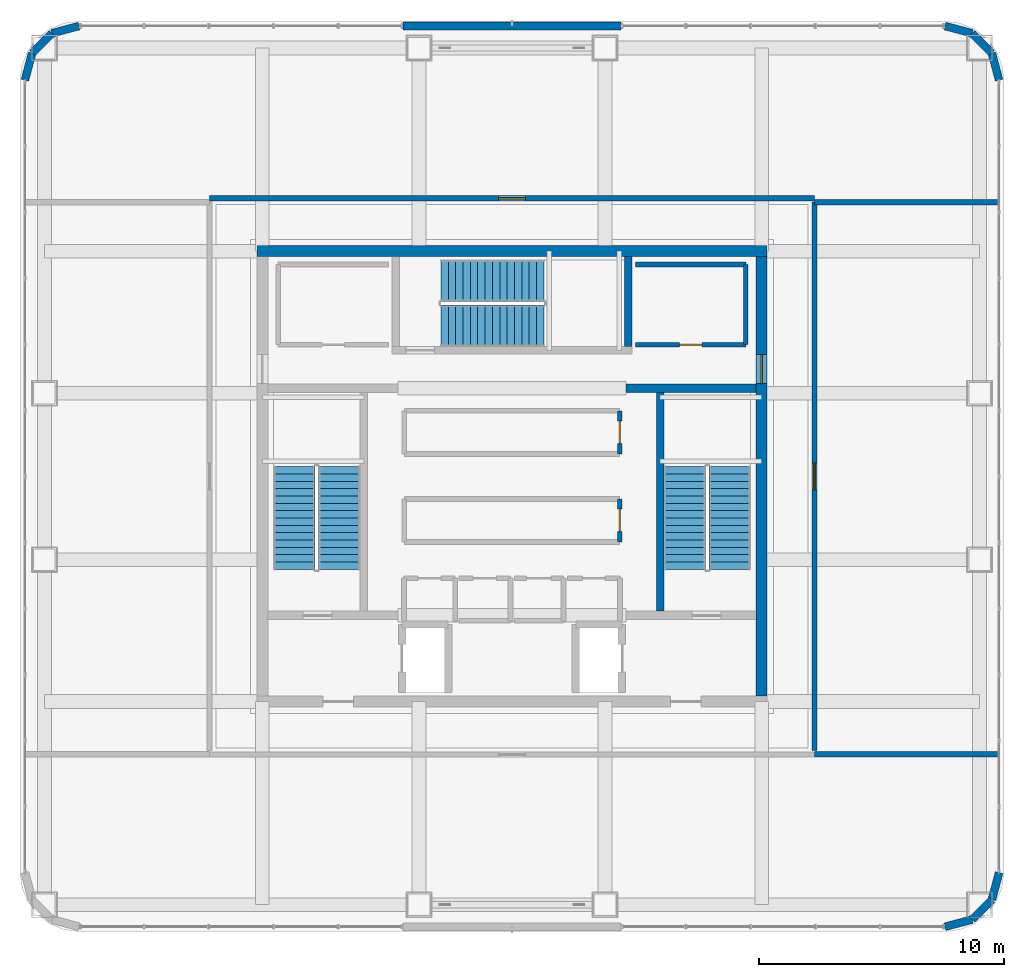
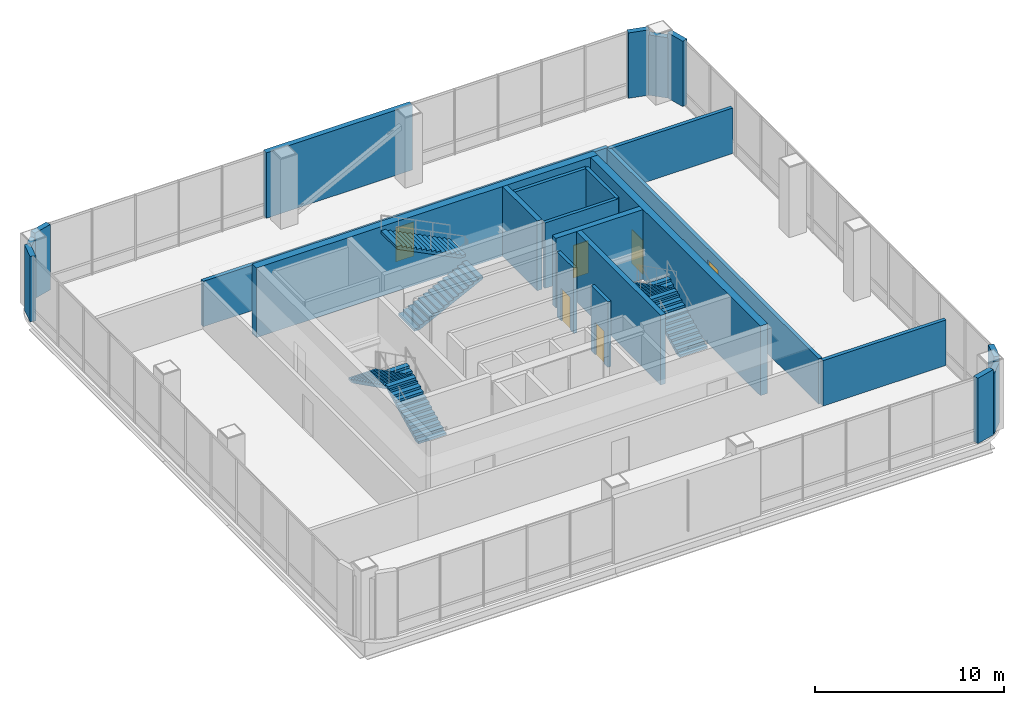
# One storey, part 29 of 33: 24 walls, 6 doors, 6 stair flights, 6 openings, 3 elements without a shape of their own.
"""IFC4 building model written with IfcOpenShell, lengths in metres."""

from ifc_helpers import new_model, si_unit, direction, frame, frame_2d, origin, place, context, subcontext, project, spatial, polyline, rectangle, outline, extrude, material, layer, layer_set, type_object, element, fill, aggregate, save


model = new_model("IFC4")

# Units and contexts
model_context = context("Model", 3, precision=1e-05, world=origin(), true_north=direction((0.0, 1.0)))
body_context = subcontext(model_context, "Body", "Model", "MODEL_VIEW")
ifc_project = project(units=[si_unit("LENGTHUNIT", "METRE"), si_unit("AREAUNIT", "SQUARE_METRE"), si_unit("VOLUMEUNIT", "CUBIC_METRE"), si_unit("PLANEANGLEUNIT", "RADIAN"), si_unit("MASSUNIT", "GRAM", prefix="KILO")], contexts=[model_context])

# Site, building, storey
site_placement = place(None, origin())
site = spatial("IfcSite", under=ifc_project, at=site_placement, CompositionType="ELEMENT")
building_placement = place(site_placement, origin())
building = spatial("IfcBuilding", under=site, at=building_placement, Name="Punatoya Terracotta Tower", CompositionType="ELEMENT")
storey_placement = place(building_placement, frame((0.0, 0.0, 348.300048828125)))
storey = spatial("IfcBuildingStorey", under=building, at=storey_placement, Name="L82", CompositionType="ELEMENT", Elevation=348.300048828125)

# Wall
ifc_material_1 = material(Name="Concrete C50/60", Category="concrete")
ifc_layer_1 = layer(ifc_material_1, 0.449951171875)
ifc_layer_set_1 = layer_set([ifc_layer_1], Name="Concrete C50/60")
wall_type_1 = type_object("IfcWallType", Name="WL-COR-450", PredefinedType="SHEAR", material=ifc_layer_set_1)
wall_1_placement = place(storey_placement, frame((-10.425048828125, 9.199951171875, 0.0), z_axis=(0.0, 0.0, 1.0), x_axis=(1.0, 0.0, 0.0)))
element("IfcWall", 1, at=wall_1_placement, inside=storey, type_object=wall_type_1, Name="L82 Core Shear Wall N", PredefinedType="SHEAR", context=body_context, shape_type="SweptSolid", body=[
    extrude(rectangle(XDim=20.85009765625, YDim=0.449951171875, at=frame_2d((10.425048828125, 0.0))), origin(), (0.0, 0.0, 1.0), 4.5),
])

# Wall, opening, door
wall_2_placement = place(storey_placement, frame((10.199951171875, 8.97509765625, 0.0), z_axis=(0.0, 0.0, 1.0), x_axis=(0.0, -1.0, 0.0)))
wall_2 = element("IfcWall", 2, at=wall_2_placement, inside=storey, type_object=wall_type_1, Name="L82 Core Shear Wall E", PredefinedType="SHEAR", context=body_context, shape_type="SweptSolid", body=[
    extrude(rectangle(XDim=17.9501953125, YDim=0.449951171875, at=frame_2d((8.97509765625, 0.0))), origin(), (0.0, 0.0, 1.0), 4.5),
])
opening_1_placement = place(wall_2_placement, frame((4.0048828125, 0.0, 0.0)))
opening_1 = element("IfcOpeningElement", 3, at=opening_1_placement, cuts=wall_2, Name="Opening SD-01", PredefinedType="OPENING", context=body_context, shape_type="SweptSolid", body=[
    extrude(rectangle(XDim=1.179931640625, YDim=2.199951171875, at=frame_2d((0.58984375, 1.10009765625))), frame((0.0, 0.23486328125, 0.0), z_axis=(0.0, -1.0, 0.0), x_axis=(1.0, 0.0, 0.0)), (0.0, 0.0, 1.0), 0.469970703125),
])
ifc_material_2 = material(Name="Galvanised Steel Pressurized Stair Fire Door", Category="steel")
door_type_1 = type_object("IfcDoorType", Name="DR-STR-1180", OperationType="NOTDEFINED", PredefinedType="DOOR", material=ifc_material_2)
door_1_placement = place(opening_1_placement, origin())
door_1 = element("IfcDoor", 4, at=door_1_placement, inside=storey, type_object=door_type_1, Name="L82 Central Lift Lobby East Fire Door", OperationType="SINGLE_SWING_RIGHT", OverallHeight=2.199951171875, OverallWidth=1.179931640625, PredefinedType="DOOR", context=body_context, shape_type="SweptSolid", body=[
    extrude(rectangle(XDim=1.179931640625, YDim=2.199951171875, at=frame_2d((0.58984375, 1.10009765625))), frame((0.0, 0.02490234375, 0.0), z_axis=(0.0, -1.0, 0.0), x_axis=(1.0, 0.0, 0.0)), (0.0, 0.0, 1.0), 0.050048828125),
])
fill(opening_1, door_1)

# Walls
ifc_material_3 = material(Name="Precast concrete C40/50", Category="concrete")
ifc_layer_2 = layer(ifc_material_3, 0.320068359375)
ifc_layer_set_2 = layer_set([ifc_layer_2], Name="Precast concrete C40/50")
wall_type_2 = type_object("IfcWallType", Name="WL-EXT-320", PredefinedType="SOLIDWALL", material=ifc_layer_set_2)
wall_3_placement = place(storey_placement, frame((17.68701171875, -18.39990234375, 0.0), z_axis=(0.0, 0.0, 1.0), x_axis=(0.966322910406, 0.257332533551, 0.0)))
element("IfcWall", 5, at=wall_3_placement, inside=storey, type_object=wall_type_2, Name="L82 Rounded Terracotta Corner Pier 02", PredefinedType="SOLIDWALL", context=body_context, shape_type="SweptSolid", body=[
    extrude(rectangle(XDim=1.15087890625, YDim=0.320068359375, at=frame_2d((0.575439453125, 0.0))), origin(), (0.0, 0.0, 1.0), 4.219970703125),
])
wall_4_placement = place(storey_placement, frame((18.799072265625, -18.103759765625, 0.0), z_axis=(0.0, 0.0, 1.0), x_axis=(0.707106781187, 0.707106781187, 0.0)))
element("IfcWall", 6, at=wall_4_placement, inside=storey, type_object=wall_type_2, Name="L82 Rounded Terracotta Corner Pier 03", PredefinedType="SOLIDWALL", context=body_context, shape_type="SweptSolid", body=[
    extrude(rectangle(XDim=1.137939453125, YDim=0.320068359375, at=frame_2d((0.56884765625, 0.0))), origin(), (0.0, 0.0, 1.0), 3.89404296875),
])
for number, where, z_axis, x_axis, name in (
    (7, (19.603759765625, -17.299072265625, 0.0), (0.0, 0.0, 1.0), (0.257332533551, 0.966322910406, 0.0), "L82 Rounded Terracotta Corner Pier 04"),
    (8, (19.89990234375, 16.18701171875, 0.0), (0.0, 0.0, 1.0), (-0.257332533551, 0.966322910406, 0.0), "L82 Rounded Terracotta Corner Pier 06"),
):
    element("IfcWall", number, at=place(storey_placement, frame(where, z_axis=z_axis, x_axis=x_axis)), inside=storey, type_object=wall_type_2, Name=name, PredefinedType="SOLIDWALL", context=body_context, shape_type="SweptSolid", body=[
        extrude(rectangle(XDim=1.15087890625, YDim=0.320068359375, at=frame_2d((0.575439453125, 0.0))), origin(), (0.0, 0.0, 1.0), 4.219970703125),
    ])
wall_5_placement = place(storey_placement, frame((19.603759765625, 17.299072265625, 0.0), z_axis=(0.0, 0.0, 1.0), x_axis=(-0.707106781187, 0.707106781187, 0.0)))
element("IfcWall", 9, at=wall_5_placement, inside=storey, type_object=wall_type_2, Name="L82 Rounded Terracotta Corner Pier 07", PredefinedType="SOLIDWALL", context=body_context, shape_type="SweptSolid", body=[
    extrude(rectangle(XDim=1.137939453125, YDim=0.320068359375, at=frame_2d((0.56884765625, 0.0))), origin(), (0.0, 0.0, 1.0), 3.89404296875),
])
wall_6_placement = place(storey_placement, frame((18.799072265625, 18.103759765625, 0.0), z_axis=(0.0, 0.0, 1.0), x_axis=(-0.966322910406, 0.257332533551, 0.0)))
element("IfcWall", 10, at=wall_6_placement, inside=storey, type_object=wall_type_2, Name="L82 Rounded Terracotta Corner Pier 08", PredefinedType="SOLIDWALL", context=body_context, shape_type="SweptSolid", body=[
    extrude(rectangle(XDim=1.15087890625, YDim=0.320068359375, at=frame_2d((0.575439453125, 0.0))), origin(), (0.0, 0.0, 1.0), 4.219970703125),
])
wall_7_placement = place(storey_placement, frame((4.449951171875, 18.39990234375, 0.0), z_axis=(0.0, 0.0, 1.0), x_axis=(-1.0, 0.0, 0.0)))
element("IfcWall", 11, at=wall_7_placement, inside=storey, type_object=wall_type_2, Name="L82 Terracotta Braced Facade Wall N1", PredefinedType="SOLIDWALL", context=body_context, shape_type="SweptSolid", body=[
    extrude(rectangle(XDim=8.89990234375, YDim=0.320068359375, at=frame_2d((4.449951171875, 0.0))), origin(), (0.0, 0.0, 1.0), 4.219970703125),
])
wall_8_placement = place(storey_placement, frame((-17.68701171875, 18.39990234375, 0.0), z_axis=(0.0, 0.0, 1.0), x_axis=(-0.966322910406, -0.257332533551, 0.0)))
element("IfcWall", 12, at=wall_8_placement, inside=storey, type_object=wall_type_2, Name="L82 Rounded Terracotta Corner Pier 10", PredefinedType="SOLIDWALL", context=body_context, shape_type="SweptSolid", body=[
    extrude(rectangle(XDim=1.15087890625, YDim=0.320068359375, at=frame_2d((0.575439453125, 0.0))), origin(), (0.0, 0.0, 1.0), 4.219970703125),
])
wall_9_placement = place(storey_placement, frame((-18.799072265625, 18.103759765625, 0.0), z_axis=(0.0, 0.0, 1.0), x_axis=(-0.707106781187, -0.707106781187, 0.0)))
element("IfcWall", 13, at=wall_9_placement, inside=storey, type_object=wall_type_2, Name="L82 Rounded Terracotta Corner Pier 11", PredefinedType="SOLIDWALL", context=body_context, shape_type="SweptSolid", body=[
    extrude(rectangle(XDim=1.137939453125, YDim=0.320068359375, at=frame_2d((0.56884765625, 0.0))), origin(), (0.0, 0.0, 1.0), 3.89404296875),
])
wall_10_placement = place(storey_placement, frame((-19.603759765625, 17.299072265625, 0.0), z_axis=(0.0, 0.0, 1.0), x_axis=(-0.257332533551, -0.966322910406, 0.0)))
element("IfcWall", 14, at=wall_10_placement, inside=storey, type_object=wall_type_2, Name="L82 Rounded Terracotta Corner Pier 12", PredefinedType="SOLIDWALL", context=body_context, shape_type="SweptSolid", body=[
    extrude(rectangle(XDim=1.15087890625, YDim=0.320068359375, at=frame_2d((0.575439453125, 0.0))), origin(), (0.0, 0.0, 1.0), 4.219970703125),
])
ifc_material_4 = material(Name="Concrete C40/50", Category="concrete")
ifc_layer_3 = layer(ifc_material_4, 0.219970703125)
ifc_layer_set_3 = layer_set([ifc_layer_3], Name="Concrete C40/50")
wall_type_3 = type_object("IfcWallType", Name="WL-FIR-220", PredefinedType="SOLIDWALL", material=ifc_layer_set_3)
wall_11_placement = place(storey_placement, frame((12.360107421875, -11.35009765625, 0.0), z_axis=(0.0, 0.0, 1.0), x_axis=(1.0, 0.0, 0.0)))
element("IfcWall", 15, at=wall_11_placement, inside=storey, type_object=wall_type_3, Name="L82 Crown South Heat-Rejection and Cooling-Tower Plant Partition 28", PredefinedType="SOLIDWALL", context=body_context, shape_type="SweptSolid", body=[
    extrude(rectangle(XDim=7.519775390625, YDim=0.219970703125, at=frame_2d((3.759765625, 0.0))), origin(), (0.0, 0.0, 1.0), 2.933837890625),
])

# Wall, opening, door
wall_12_placement = place(storey_placement, frame((12.360107421875, -11.199951171875, 0.0), z_axis=(0.0, 0.0, 1.0), x_axis=(0.0, 1.0, 0.0)))
wall_12 = element("IfcWall", 16, at=wall_12_placement, inside=storey, type_object=wall_type_3, Name="L82 Crown East Lift Machine and BMS Control Plant Partition 31", PredefinedType="SOLIDWALL", context=body_context, shape_type="SweptSolid", body=[
    extrude(rectangle(XDim=22.39990234375, YDim=0.219970703125, at=frame_2d((11.199951171875, 0.0))), origin(), (0.0, 0.0, 1.0), 2.933837890625),
])
opening_2_placement = place(wall_12_placement, frame((10.64990234375, 0.0, 0.0)))
opening_2 = element("IfcOpeningElement", 17, at=opening_2_placement, cuts=wall_12, Name="Opening FD-P1", PredefinedType="OPENING", context=body_context, shape_type="SweptSolid", body=[
    extrude(rectangle(XDim=1.10009765625, YDim=2.199951171875, at=frame_2d((0.550048828125, 1.10009765625))), frame((0.0, 0.119873046875, 0.0), z_axis=(0.0, -1.0, 0.0), x_axis=(1.0, 0.0, 0.0)), (0.0, 0.0, 1.0), 0.239990234375),
])
ifc_material_5 = material(Name="Galvanised Steel Plant Fire Door", Category="steel")
door_type_2 = type_object("IfcDoorType", Name="DR-PLT-1100", OperationType="NOTDEFINED", PredefinedType="DOOR", material=ifc_material_5)
door_2_placement = place(opening_2_placement, origin())
door_2 = element("IfcDoor", 18, at=door_2_placement, inside=storey, type_object=door_type_2, Name="L82 Crown East Lift Machine and BMS Control Plant Fire Door", OperationType="SINGLE_SWING_LEFT", OverallHeight=2.199951171875, OverallWidth=1.10009765625, PredefinedType="DOOR", context=body_context, shape_type="SweptSolid", body=[
    extrude(rectangle(XDim=1.10009765625, YDim=2.199951171875, at=frame_2d((0.550048828125, 1.10009765625))), frame((0.0, 0.02490234375, 0.0), z_axis=(0.0, -1.0, 0.0), x_axis=(1.0, 0.0, 0.0)), (0.0, 0.0, 1.0), 0.050048828125),
])
fill(opening_2, door_2)

# Wall
wall_13_placement = place(storey_placement, frame((12.360107421875, 11.199951171875, 0.0), z_axis=(0.0, 0.0, 1.0), x_axis=(1.0, 0.0, 0.0)))
element("IfcWall", 19, at=wall_13_placement, inside=storey, type_object=wall_type_3, Name="L82 Crown East Lift Machine and BMS Control Plant Partition 32", PredefinedType="SOLIDWALL", context=body_context, shape_type="SweptSolid", body=[
    extrude(rectangle(XDim=7.519775390625, YDim=0.219970703125, at=frame_2d((3.759765625, 0.0))), origin(), (0.0, 0.0, 1.0), 2.933837890625),
])

# Wall, opening, door
wall_14_placement = place(storey_placement, frame((12.360107421875, 11.360107421875, 0.0), z_axis=(0.0, 0.0, 1.0), x_axis=(-1.0, 0.0, 0.0)))
wall_14 = element("IfcWall", 20, at=wall_14_placement, inside=storey, type_object=wall_type_3, Name="L82 Crown North Standby Power and Booster Pump Plant Partition 33", PredefinedType="SOLIDWALL", context=body_context, shape_type="SweptSolid", body=[
    extrude(rectangle(XDim=24.72021484375, YDim=0.219970703125, at=frame_2d((12.360107421875, 0.0))), origin(), (0.0, 0.0, 1.0), 2.933837890625),
])
opening_3_placement = place(wall_14_placement, frame((11.81005859375, 0.0, 0.0)))
opening_3 = element("IfcOpeningElement", 21, at=opening_3_placement, cuts=wall_14, Name="Opening FD-P1", PredefinedType="OPENING", context=body_context, shape_type="SweptSolid", body=[
    extrude(rectangle(XDim=1.10009765625, YDim=2.199951171875, at=frame_2d((0.550048828125, 1.10009765625))), frame((0.0, 0.119873046875, 0.0), z_axis=(0.0, -1.0, 0.0), x_axis=(1.0, 0.0, 0.0)), (0.0, 0.0, 1.0), 0.239990234375),
])
door_3_placement = place(opening_3_placement, origin())
door_3 = element("IfcDoor", 22, at=door_3_placement, inside=storey, type_object=door_type_2, Name="L82 Crown North Standby Power and Booster Pump Plant Fire Door", OperationType="SINGLE_SWING_RIGHT", OverallHeight=2.199951171875, OverallWidth=1.10009765625, PredefinedType="DOOR", context=body_context, shape_type="SweptSolid", body=[
    extrude(rectangle(XDim=1.10009765625, YDim=2.199951171875, at=frame_2d((0.550048828125, 1.10009765625))), frame((0.0, 0.02490234375, 0.0), z_axis=(0.0, -1.0, 0.0), x_axis=(1.0, 0.0, 0.0)), (0.0, 0.0, 1.0), 0.050048828125),
])
fill(opening_3, door_3)

ifc_layer_4 = layer(ifc_material_4, 0.199951171875)
ifc_layer_set_4 = layer_set([ifc_layer_4], Name="Concrete C40/50")
wall_type_4 = type_object("IfcWallType", Name="WL-INT-200", PredefinedType="SOLIDWALL", material=ifc_layer_set_4)
wall_15_placement = place(storey_placement, frame((4.39990234375, -2.679931640625, 0.0), z_axis=(0.0, 0.0, 1.0), x_axis=(0.0, 1.0, 0.0)))
wall_15 = element("IfcWall", 23, at=wall_15_placement, inside=storey, type_object=wall_type_4, Name="L82 Crown Emergency Power Switchroom Partition 12", PredefinedType="SOLIDWALL", context=body_context, shape_type="SweptSolid", body=[
    extrude(rectangle(XDim=1.760009765625, YDim=0.199951171875, at=frame_2d((0.8798828125, 0.0))), origin(), (0.0, 0.0, 1.0), 4.219970703125),
])
opening_4_placement = place(wall_15_placement, frame((0.419921875, 0.0, 0.0)))
opening_4 = element("IfcOpeningElement", 24, at=opening_4_placement, cuts=wall_15, Name="Opening FD-R1", PredefinedType="OPENING", context=body_context, shape_type="SweptSolid", body=[
    extrude(rectangle(XDim=0.919921875, YDim=2.10009765625, at=frame_2d((0.4599609375, 1.050048828125))), frame((0.0, 0.10986328125, 0.0), z_axis=(0.0, -1.0, 0.0), x_axis=(1.0, 0.0, 0.0)), (0.0, 0.0, 1.0), 0.219970703125),
])
ifc_material_6 = material(Name="Galvanised Steel Riser Fire Access Door", Category="steel")
door_type_3 = type_object("IfcDoorType", Name="DR-RSR-920", OperationType="NOTDEFINED", PredefinedType="DOOR", material=ifc_material_6)
door_4_placement = place(opening_4_placement, origin())
door_4 = element("IfcDoor", 25, at=door_4_placement, inside=storey, type_object=door_type_3, Name="L82 Crown Emergency Power Switchroom Fire Door", OperationType="SINGLE_SWING_LEFT", OverallHeight=2.10009765625, OverallWidth=0.919921875, PredefinedType="DOOR", context=body_context, shape_type="SweptSolid", body=[
    extrude(rectangle(XDim=0.919921875, YDim=2.10009765625, at=frame_2d((0.4599609375, 1.050048828125))), frame((0.0, 0.02490234375, 0.0), z_axis=(0.0, -1.0, 0.0), x_axis=(1.0, 0.0, 0.0)), (0.0, 0.0, 1.0), 0.050048828125),
])
fill(opening_4, door_4)

wall_16_placement = place(storey_placement, frame((4.39990234375, 0.919921875, 0.0), z_axis=(0.0, 0.0, 1.0), x_axis=(0.0, 1.0, 0.0)))
wall_16 = element("IfcWall", 26, at=wall_16_placement, inside=storey, type_object=wall_type_4, Name="L82 Crown Stair Pressurization Fan Room Partition 16", PredefinedType="SOLIDWALL", context=body_context, shape_type="SweptSolid", body=[
    extrude(rectangle(XDim=1.760009765625, YDim=0.199951171875, at=frame_2d((0.8798828125, 0.0))), origin(), (0.0, 0.0, 1.0), 4.219970703125),
])
opening_5_placement = place(wall_16_placement, frame((0.419921875, 0.0, 0.0)))
opening_5 = element("IfcOpeningElement", 27, at=opening_5_placement, cuts=wall_16, Name="Opening FD-R1", PredefinedType="OPENING", context=body_context, shape_type="SweptSolid", body=[
    extrude(rectangle(XDim=0.919921875, YDim=2.10009765625, at=frame_2d((0.4599609375, 1.050048828125))), frame((0.0, 0.10986328125, 0.0), z_axis=(0.0, -1.0, 0.0), x_axis=(1.0, 0.0, 0.0)), (0.0, 0.0, 1.0), 0.219970703125),
])
door_5_placement = place(opening_5_placement, origin())
door_5 = element("IfcDoor", 28, at=door_5_placement, inside=storey, type_object=door_type_3, Name="L82 Crown Stair Pressurization Fan Room Fire Door", OperationType="SINGLE_SWING_RIGHT", OverallHeight=2.10009765625, OverallWidth=0.919921875, PredefinedType="DOOR", context=body_context, shape_type="SweptSolid", body=[
    extrude(rectangle(XDim=0.919921875, YDim=2.10009765625, at=frame_2d((0.4599609375, 1.050048828125))), frame((0.0, 0.02490234375, 0.0), z_axis=(0.0, -1.0, 0.0), x_axis=(1.0, 0.0, 0.0)), (0.0, 0.0, 1.0), 0.050048828125),
])
fill(opening_5, door_5)

# Walls
wall_17_placement = place(storey_placement, frame((9.550048828125, 5.3798828125, 0.0), z_axis=(0.0, 0.0, 1.0), x_axis=(0.0, 1.0, 0.0)))
element("IfcWall", 29, at=wall_17_placement, inside=storey, type_object=wall_type_4, Name="L82 East Duct Riser Partition 23", PredefinedType="SOLIDWALL", context=body_context, shape_type="SweptSolid", body=[
    extrude(rectangle(XDim=3.27001953125, YDim=0.199951171875, at=frame_2d((1.635009765625, 0.0))), origin(), (0.0, 0.0, 1.0), 4.219970703125),
])
wall_18_placement = place(storey_placement, frame((9.550048828125, 8.64990234375, 0.0), z_axis=(0.0, 0.0, 1.0), x_axis=(-1.0, 0.0, 0.0)))
element("IfcWall", 30, at=wall_18_placement, inside=storey, type_object=wall_type_4, Name="L82 East Duct Riser Partition 24", PredefinedType="SOLIDWALL", context=body_context, shape_type="SweptSolid", body=[
    extrude(rectangle(XDim=4.5, YDim=0.199951171875, at=frame_2d((2.25, 0.0))), origin(), (0.0, 0.0, 1.0), 4.219970703125),
])

# Wall, opening, door
wall_19_placement = place(storey_placement, frame((5.050048828125, 5.3798828125, 0.0), z_axis=(0.0, 0.0, 1.0), x_axis=(1.0, 0.0, 0.0)))
wall_19 = element("IfcWall", 31, at=wall_19_placement, inside=storey, type_object=wall_type_4, Name="L82 East Duct Riser Partition 25", PredefinedType="SOLIDWALL", context=body_context, shape_type="SweptSolid", body=[
    extrude(rectangle(XDim=4.5, YDim=0.199951171875, at=frame_2d((2.25, 0.0))), origin(), (0.0, 0.0, 1.0), 4.219970703125),
])
opening_6_placement = place(wall_19_placement, frame((1.7900390625, 0.0, 0.0)))
opening_6 = element("IfcOpeningElement", 32, at=opening_6_placement, cuts=wall_19, Name="Opening FD-R1", PredefinedType="OPENING", context=body_context, shape_type="SweptSolid", body=[
    extrude(rectangle(XDim=0.919921875, YDim=2.10009765625, at=frame_2d((0.4599609375, 1.050048828125))), frame((0.0, 0.10986328125, 0.0), z_axis=(0.0, -1.0, 0.0), x_axis=(1.0, 0.0, 0.0)), (0.0, 0.0, 1.0), 0.219970703125),
])
door_6_placement = place(opening_6_placement, origin())
door_6 = element("IfcDoor", 33, at=door_6_placement, inside=storey, type_object=door_type_3, Name="L82 East Duct Riser Fire Door", OperationType="SINGLE_SWING_RIGHT", OverallHeight=2.10009765625, OverallWidth=0.919921875, PredefinedType="DOOR", context=body_context, shape_type="SweptSolid", body=[
    extrude(rectangle(XDim=0.919921875, YDim=2.10009765625, at=frame_2d((0.4599609375, 1.050048828125))), frame((0.0, 0.02490234375, 0.0), z_axis=(0.0, -1.0, 0.0), x_axis=(1.0, 0.0, 0.0)), (0.0, 0.0, 1.0), 0.050048828125),
])
fill(opening_6, door_6)

# Walls
ifc_layer_5 = layer(ifc_material_4, 0.300048828125)
ifc_layer_set_5 = layer_set([ifc_layer_5], Name="Concrete C40/50")
wall_type_5 = type_object("IfcWallType", Name="WL-SHF-300", PredefinedType="SOLIDWALL", material=ifc_layer_set_5)
wall_20_placement = place(storey_placement, frame((6.050048828125, 3.449951171875, 0.0), z_axis=(0.0, 0.0, 1.0), x_axis=(0.0, -1.0, 0.0)))
element("IfcWall", 34, at=wall_20_placement, inside=storey, type_object=wall_type_5, Name="L82 Structural Stair Shaft Wall SW-ST2-W", PredefinedType="SOLIDWALL", context=body_context, shape_type="SweptSolid", body=[
    extrude(rectangle(XDim=8.949951171875, YDim=0.300048828125, at=frame_2d((4.47509765625, 0.0))), origin(), (0.0, 0.0, 1.0), 4.5),
])
wall_21_placement = place(storey_placement, frame((4.75, 8.97509765625, 0.0), z_axis=(0.0, 0.0, 1.0), x_axis=(0.0, -1.0, 0.0)))
element("IfcWall", 35, at=wall_21_placement, inside=storey, type_object=wall_type_5, Name="L82 Structural Stair Shaft Wall SW-ST3-E", PredefinedType="SOLIDWALL", context=body_context, shape_type="SweptSolid", body=[
    extrude(rectangle(XDim=3.675048828125, YDim=0.300048828125, at=frame_2d((1.83740234375, 0.0))), origin(), (0.0, 0.0, 1.0), 4.5),
])
ifc_layer_6 = layer(ifc_material_1, 0.35009765625)
ifc_layer_set_6 = layer_set([ifc_layer_6], Name="Concrete C50/60")
wall_type_6 = type_object("IfcWallType", Name="WL-SHF-350", PredefinedType="SOLIDWALL", material=ifc_layer_set_6)
wall_22_placement = place(storey_placement, frame((4.64990234375, 3.60009765625, 0.0), z_axis=(0.0, 0.0, 1.0), x_axis=(1.0, 0.0, 0.0)))
element("IfcWall", 36, at=wall_22_placement, inside=storey, type_object=wall_type_6, Name="L82 Core Web Wall CNW-R", PredefinedType="SOLIDWALL", context=body_context, shape_type="SweptSolid", body=[
    extrude(rectangle(XDim=5.3251953125, YDim=0.35009765625, at=frame_2d((2.66259765625, 0.0))), origin(), (0.0, 0.0, 1.0), 4.5),
])

# Stair, stair flights
stair_type_1 = type_object("IfcStairType", Name="STR-CORE-1550", PredefinedType="HALF_TURN_STAIR", material=ifc_material_4)
stair_1_placement = place(storey_placement, origin())
stair_1 = element("IfcStair", 37, at=stair_1_placement, inside=storey, type_object=stair_type_1, Name="L82 Protected Core Exit Stair ST-1", PredefinedType="HALF_TURN_STAIR")
stair_flight_type_1 = type_object("IfcStairFlightType", Name="SFL-CORE-1550", PredefinedType="STRAIGHT", material=ifc_material_4)
stair_flight_1_placement = place(storey_placement, frame((-7.050048828125, -3.800048828125, 0.0), z_axis=(0.0, 0.0, 1.0), x_axis=(0.0, 1.0, 0.0)))
stair_flight_1 = element("IfcStairFlight", 38, at=stair_flight_1_placement, type_object=stair_flight_type_1, Name="ST-1 flight 1", NumberOfRisers=15, NumberOfTreads=14, PredefinedType="STRAIGHT", RiserHeight=0.15, TreadLength=0.3, context=body_context, shape_type="SweptSolid", body=[
    extrude(outline(polyline([(0.0, 0.0), (0.0, 0.14990234375), (0.300048828125, 0.14990234375), (0.300048828125, 0.300048828125), (0.60009765625, 0.300048828125), (0.60009765625, 0.449951171875), (0.89990234375, 0.449951171875), (0.89990234375, 0.60009765625), (1.199951171875, 0.60009765625), (1.199951171875, 0.75), (1.5, 0.75), (1.5, 0.89990234375), (1.800048828125, 0.89990234375), (1.800048828125, 1.050048828125), (2.10009765625, 1.050048828125), (2.10009765625, 1.199951171875), (2.39990234375, 1.199951171875), (2.39990234375, 1.35009765625), (2.699951171875, 1.35009765625), (2.699951171875, 1.5), (3.0, 1.5), (3.0, 1.64990234375), (3.300048828125, 1.64990234375), (3.300048828125, 1.800048828125), (3.60009765625, 1.800048828125), (3.60009765625, 1.949951171875), (3.89990234375, 1.949951171875), (3.89990234375, 2.10009765625), (4.199951171875, 2.10009765625), (4.199951171875, 2.25), (4.199951171875, 1.932373046875), (0.335205078125, 0.0), (0.0, 0.0)])), frame((0.0, 0.85009765625, 0.0), z_axis=(0.0, -1.0, 0.0), x_axis=(1.0, 0.0, 0.0)), (0.0, 0.0, 1.0), 1.699951171875),
])
stair_flight_2_placement = place(storey_placement, frame((-8.89990234375, 0.39990234375, 2.25), z_axis=(0.0, 0.0, 1.0), x_axis=(0.0, -1.0, 0.0)))
stair_flight_2 = element("IfcStairFlight", 39, at=stair_flight_2_placement, type_object=stair_flight_type_1, Name="ST-1 flight 2", NumberOfRisers=15, NumberOfTreads=14, PredefinedType="STRAIGHT", RiserHeight=0.15, TreadLength=0.3, context=body_context, shape_type="SweptSolid", body=[
    extrude(outline(polyline([(0.0, 0.0), (0.0, 0.14990234375), (0.300048828125, 0.14990234375), (0.300048828125, 0.300048828125), (0.60009765625, 0.300048828125), (0.60009765625, 0.449951171875), (0.89990234375, 0.449951171875), (0.89990234375, 0.60009765625), (1.199951171875, 0.60009765625), (1.199951171875, 0.75), (1.5, 0.75), (1.5, 0.89990234375), (1.800048828125, 0.89990234375), (1.800048828125, 1.050048828125), (2.10009765625, 1.050048828125), (2.10009765625, 1.199951171875), (2.39990234375, 1.199951171875), (2.39990234375, 1.35009765625), (2.699951171875, 1.35009765625), (2.699951171875, 1.5), (3.0, 1.5), (3.0, 1.64990234375), (3.300048828125, 1.64990234375), (3.300048828125, 1.800048828125), (3.60009765625, 1.800048828125), (3.60009765625, 1.949951171875), (3.89990234375, 1.949951171875), (3.89990234375, 2.10009765625), (4.199951171875, 2.10009765625), (4.199951171875, 2.25), (4.199951171875, 1.932373046875), (0.335205078125, 0.0), (0.0, 0.0)])), frame((0.0, 0.85009765625, 0.0), z_axis=(0.0, -1.0, 0.0), x_axis=(1.0, 0.0, 0.0)), (0.0, 0.0, 1.0), 1.699951171875),
])
aggregate(stair_1, [stair_flight_1, stair_flight_2])

stair_type_2 = type_object("IfcStairType", Name="STR-LOB-1650", PredefinedType="HALF_TURN_STAIR", material=ifc_material_4)
stair_2_placement = place(storey_placement, origin())
stair_2 = element("IfcStair", 40, at=stair_2_placement, inside=storey, type_object=stair_type_2, Name="L82 Protected Core Exit Stair ST-2", PredefinedType="HALF_TURN_STAIR")
stair_flight_type_2 = type_object("IfcStairFlightType", Name="SFL-LOB-1650", PredefinedType="STRAIGHT", material=ifc_material_4)
stair_flight_3_placement = place(storey_placement, frame((8.89990234375, -3.800048828125, 0.0), z_axis=(0.0, 0.0, 1.0), x_axis=(0.0, 1.0, 0.0)))
stair_flight_3 = element("IfcStairFlight", 41, at=stair_flight_3_placement, type_object=stair_flight_type_2, Name="ST-2 flight 1", NumberOfRisers=15, NumberOfTreads=14, PredefinedType="STRAIGHT", RiserHeight=0.15, TreadLength=0.3, context=body_context, shape_type="SweptSolid", body=[
    extrude(outline(polyline([(0.0, 0.0), (0.0, 0.14990234375), (0.300048828125, 0.14990234375), (0.300048828125, 0.300048828125), (0.60009765625, 0.300048828125), (0.60009765625, 0.449951171875), (0.89990234375, 0.449951171875), (0.89990234375, 0.60009765625), (1.199951171875, 0.60009765625), (1.199951171875, 0.75), (1.5, 0.75), (1.5, 0.89990234375), (1.800048828125, 0.89990234375), (1.800048828125, 1.050048828125), (2.10009765625, 1.050048828125), (2.10009765625, 1.199951171875), (2.39990234375, 1.199951171875), (2.39990234375, 1.35009765625), (2.699951171875, 1.35009765625), (2.699951171875, 1.5), (3.0, 1.5), (3.0, 1.64990234375), (3.300048828125, 1.64990234375), (3.300048828125, 1.800048828125), (3.60009765625, 1.800048828125), (3.60009765625, 1.949951171875), (3.89990234375, 1.949951171875), (3.89990234375, 2.10009765625), (4.199951171875, 2.10009765625), (4.199951171875, 2.25), (4.199951171875, 1.932373046875), (0.335205078125, 0.0), (0.0, 0.0)])), frame((0.0, 0.85009765625, 0.0), z_axis=(0.0, -1.0, 0.0), x_axis=(1.0, 0.0, 0.0)), (0.0, 0.0, 1.0), 1.699951171875),
])
stair_flight_4_placement = place(storey_placement, frame((7.050048828125, 0.39990234375, 2.25), z_axis=(0.0, 0.0, 1.0), x_axis=(0.0, -1.0, 0.0)))
stair_flight_4 = element("IfcStairFlight", 42, at=stair_flight_4_placement, type_object=stair_flight_type_2, Name="ST-2 flight 2", NumberOfRisers=15, NumberOfTreads=14, PredefinedType="STRAIGHT", RiserHeight=0.15, TreadLength=0.3, context=body_context, shape_type="SweptSolid", body=[
    extrude(outline(polyline([(0.0, 0.0), (0.0, 0.14990234375), (0.300048828125, 0.14990234375), (0.300048828125, 0.300048828125), (0.60009765625, 0.300048828125), (0.60009765625, 0.449951171875), (0.89990234375, 0.449951171875), (0.89990234375, 0.60009765625), (1.199951171875, 0.60009765625), (1.199951171875, 0.75), (1.5, 0.75), (1.5, 0.89990234375), (1.800048828125, 0.89990234375), (1.800048828125, 1.050048828125), (2.10009765625, 1.050048828125), (2.10009765625, 1.199951171875), (2.39990234375, 1.199951171875), (2.39990234375, 1.35009765625), (2.699951171875, 1.35009765625), (2.699951171875, 1.5), (3.0, 1.5), (3.0, 1.64990234375), (3.300048828125, 1.64990234375), (3.300048828125, 1.800048828125), (3.60009765625, 1.800048828125), (3.60009765625, 1.949951171875), (3.89990234375, 1.949951171875), (3.89990234375, 2.10009765625), (4.199951171875, 2.10009765625), (4.199951171875, 2.25), (4.199951171875, 1.932373046875), (0.335205078125, 0.0), (0.0, 0.0)])), frame((0.0, 0.85009765625, 0.0), z_axis=(0.0, -1.0, 0.0), x_axis=(1.0, 0.0, 0.0)), (0.0, 0.0, 1.0), 1.699951171875),
])
aggregate(stair_2, [stair_flight_3, stair_flight_4])

stair_type_3 = type_object("IfcStairType", Name="STR-TER-1450", PredefinedType="HALF_TURN_STAIR", material=ifc_material_4)
stair_3_placement = place(storey_placement, origin())
stair_3 = element("IfcStair", 43, at=stair_3_placement, inside=storey, type_object=stair_type_3, Name="L82 Protected Core Exit Stair ST-3", PredefinedType="HALF_TURN_STAIR")
stair_flight_type_3 = type_object("IfcStairFlightType", Name="SFL-TER-1450", PredefinedType="STRAIGHT", material=ifc_material_4)
stair_flight_5_placement = place(storey_placement, frame((-2.89990234375, 6.14990234375, 0.0), z_axis=(0.0, 0.0, 1.0), x_axis=(1.0, 0.0, 0.0)))
stair_flight_5 = element("IfcStairFlight", 44, at=stair_flight_5_placement, type_object=stair_flight_type_3, Name="ST-3 flight 1", NumberOfRisers=15, NumberOfTreads=14, PredefinedType="STRAIGHT", RiserHeight=0.15, TreadLength=0.3, context=body_context, shape_type="SweptSolid", body=[
    extrude(outline(polyline([(0.0, 0.0), (0.0, 0.14990234375), (0.300048828125, 0.14990234375), (0.300048828125, 0.300048828125), (0.60009765625, 0.300048828125), (0.60009765625, 0.449951171875), (0.89990234375, 0.449951171875), (0.89990234375, 0.60009765625), (1.199951171875, 0.60009765625), (1.199951171875, 0.75), (1.5, 0.75), (1.5, 0.89990234375), (1.800048828125, 0.89990234375), (1.800048828125, 1.050048828125), (2.10009765625, 1.050048828125), (2.10009765625, 1.199951171875), (2.39990234375, 1.199951171875), (2.39990234375, 1.35009765625), (2.699951171875, 1.35009765625), (2.699951171875, 1.5), (3.0, 1.5), (3.0, 1.64990234375), (3.300048828125, 1.64990234375), (3.300048828125, 1.800048828125), (3.60009765625, 1.800048828125), (3.60009765625, 1.949951171875), (3.89990234375, 1.949951171875), (3.89990234375, 2.10009765625), (4.199951171875, 2.10009765625), (4.199951171875, 2.25), (4.199951171875, 1.932373046875), (0.335205078125, 0.0), (0.0, 0.0)])), frame((0.0, 0.85009765625, 0.0), z_axis=(0.0, -1.0, 0.0), x_axis=(1.0, 0.0, 0.0)), (0.0, 0.0, 1.0), 1.699951171875),
])
stair_flight_6_placement = place(storey_placement, frame((1.300048828125, 8.0, 2.25), z_axis=(0.0, 0.0, 1.0), x_axis=(-1.0, 0.0, 0.0)))
stair_flight_6 = element("IfcStairFlight", 45, at=stair_flight_6_placement, type_object=stair_flight_type_3, Name="ST-3 flight 2", NumberOfRisers=15, NumberOfTreads=14, PredefinedType="STRAIGHT", RiserHeight=0.15, TreadLength=0.3, context=body_context, shape_type="SweptSolid", body=[
    extrude(outline(polyline([(0.0, 0.0), (0.0, 0.14990234375), (0.300048828125, 0.14990234375), (0.300048828125, 0.300048828125), (0.60009765625, 0.300048828125), (0.60009765625, 0.449951171875), (0.89990234375, 0.449951171875), (0.89990234375, 0.60009765625), (1.199951171875, 0.60009765625), (1.199951171875, 0.75), (1.5, 0.75), (1.5, 0.89990234375), (1.800048828125, 0.89990234375), (1.800048828125, 1.050048828125), (2.10009765625, 1.050048828125), (2.10009765625, 1.199951171875), (2.39990234375, 1.199951171875), (2.39990234375, 1.35009765625), (2.699951171875, 1.35009765625), (2.699951171875, 1.5), (3.0, 1.5), (3.0, 1.64990234375), (3.300048828125, 1.64990234375), (3.300048828125, 1.800048828125), (3.60009765625, 1.800048828125), (3.60009765625, 1.949951171875), (3.89990234375, 1.949951171875), (3.89990234375, 2.10009765625), (4.199951171875, 2.10009765625), (4.199951171875, 2.25), (4.199951171875, 1.932373046875), (0.335205078125, 0.0), (0.0, 0.0)])), frame((0.0, 0.85009765625, 0.0), z_axis=(0.0, -1.0, 0.0), x_axis=(1.0, 0.0, 0.0)), (0.0, 0.0, 1.0), 1.699951171875),
])
aggregate(stair_3, [stair_flight_5, stair_flight_6])

save(model, "model.ifc")
